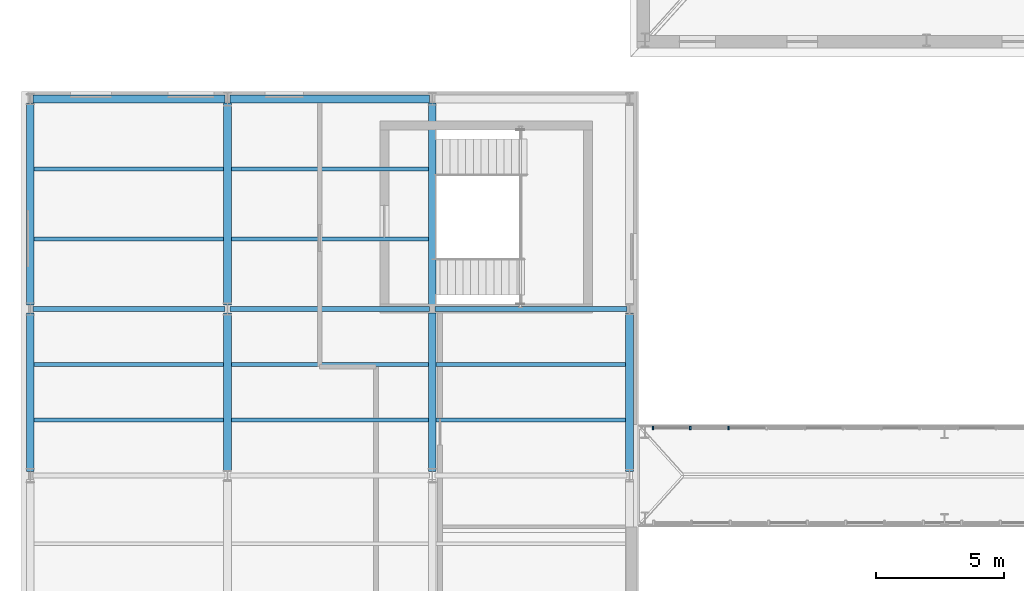
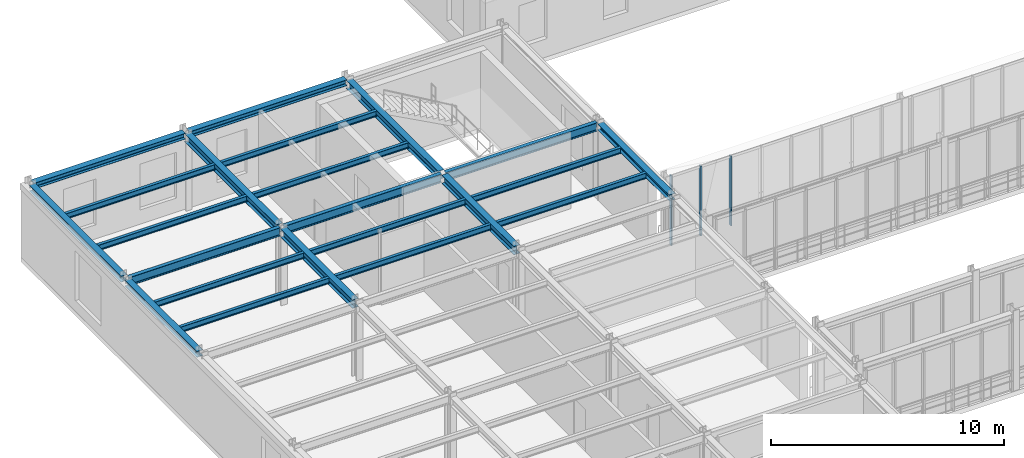
# One storey, part 19 of 57: 22 beams, 3 members, 1 element without a shape of its own.
"""IFC4 building model written with IfcOpenShell, lengths in metres."""

from ifc_helpers import new_model, si_unit, direction, frame, origin, origin_2d, place, context, subcontext, project, spatial, rectangle, i_section, extrude, material, layer, layer_set, material_profile, profile_set, type_object, element, aggregate, save


model = new_model("IFC4")

# Units and contexts
model_context = context("Model", 3, precision=1e-05, world=origin(), true_north=direction((0.0, 1.0)))
body_context = subcontext(model_context, "Body", "Model", "MODEL_VIEW")
ifc_project = project(units=[si_unit("LENGTHUNIT", "METRE"), si_unit("AREAUNIT", "SQUARE_METRE"), si_unit("VOLUMEUNIT", "CUBIC_METRE"), si_unit("PLANEANGLEUNIT", "RADIAN"), si_unit("MASSUNIT", "GRAM", prefix="KILO"), si_unit("THERMODYNAMICTEMPERATUREUNIT", "KELVIN"), si_unit("POWERUNIT", "WATT")], contexts=[model_context])

# Site, building, storey
site_placement = place(None, origin())
site = spatial("IfcSite", under=ifc_project, at=site_placement, CompositionType="ELEMENT")
building_placement = place(site_placement, origin())
building = spatial("IfcBuilding", under=site, at=building_placement, Name="Solvatero Civic Police Headquarters", CompositionType="ELEMENT")
storey_placement = place(building_placement, frame((0.0, 0.0, 9.300048828125)))
storey = spatial("IfcBuildingStorey", under=building, at=storey_placement, Name="L02", CompositionType="ELEMENT", Elevation=9.300048828125)

# Beams
ifc_material_1 = material(Name="Steel S355", Category="steel")
ifc_material_profile_1 = material_profile(ifc_material_1, i_section(OverallWidth=0.300048828125, OverallDepth=0.31005859375, WebThickness=0.009033203125, FlangeThickness=0.015380859375, FilletRadius=0.027099609375, at=origin_2d()), Name="HEA 320")
ifc_profile_set_1 = profile_set([ifc_material_profile_1], Name="Steel S355")
beam_type_1 = type_object("IfcBeamType", Name="BM-ST-HEA320", PredefinedType="SPANDREL", material=ifc_profile_set_1)
beam_1_placement = place(storey_placement, frame((4.89990234375, 83.199951171875, 3.844970703125), z_axis=(1.0, 0.0, 0.0), x_axis=(0.0, 1.0, 0.0)))
element("IfcBeam", 1, at=beam_1_placement, inside=storey, type_object=beam_type_1, Name="Perimeter / radial spandrel beam BM-R2-L02-V6-GX-1-6", PredefinedType="SPANDREL", context=body_context, shape_type="SweptSolid", body=[
    extrude(i_section(OverallWidth=0.300048828125, OverallDepth=0.31005859375, WebThickness=0.009033203125, FlangeThickness=0.015380859375, FilletRadius=0.027099609375, at=origin_2d()), origin(), (0.0, 0.0, 1.0), 7.5),
])
beam_2_placement = place(storey_placement, frame((12.60009765625, 83.199951171875, 3.844970703125), z_axis=(1.0, 0.0, 0.0), x_axis=(0.0, 1.0, 0.0)))
element("IfcBeam", 2, at=beam_2_placement, inside=storey, type_object=beam_type_1, Name="Perimeter / radial spandrel beam BM-R2-L02-V6-GX-2-6", PredefinedType="SPANDREL", context=body_context, shape_type="SweptSolid", body=[
    extrude(i_section(OverallWidth=0.300048828125, OverallDepth=0.31005859375, WebThickness=0.009033203125, FlangeThickness=0.015380859375, FilletRadius=0.027099609375, at=origin_2d()), origin(), (0.0, 0.0, 1.0), 7.7998046875),
])
beam_3_placement = place(storey_placement, frame((4.800048828125, 68.659912109375, 3.844970703125), z_axis=(0.0, 1.0, 0.0), x_axis=(-1.0, 0.0, 0.0)))
element("IfcBeam", 3, at=beam_3_placement, inside=storey, type_object=beam_type_1, Name="Perimeter / radial spandrel beam BM-R2-L02-V6-GY-1-4", PredefinedType="SPANDREL", context=body_context, shape_type="SweptSolid", body=[
    extrude(i_section(OverallWidth=0.300048828125, OverallDepth=0.31005859375, WebThickness=0.009033203125, FlangeThickness=0.015380859375, FilletRadius=0.027099609375, at=origin_2d()), origin(), (0.0, 0.0, 1.0), 6.18017578125),
])
beam_4_placement = place(storey_placement, frame((4.800048828125, 75.159912109375, 3.844970703125), z_axis=(0.0, 1.0, 0.0), x_axis=(-1.0, 0.0, 0.0)))
element("IfcBeam", 4, at=beam_4_placement, inside=storey, type_object=beam_type_1, Name="Perimeter / radial spandrel beam BM-R2-L02-V6-GY-1-5", PredefinedType="SPANDREL", context=body_context, shape_type="SweptSolid", body=[
    extrude(i_section(OverallWidth=0.300048828125, OverallDepth=0.31005859375, WebThickness=0.009033203125, FlangeThickness=0.015380859375, FilletRadius=0.027099609375, at=origin_2d()), origin(), (0.0, 0.0, 1.0), 7.880126953125),
])
beam_5_placement = place(storey_placement, frame((28.199951171875, 68.659912109375, 3.844970703125), z_axis=(0.0, 1.0, 0.0), x_axis=(-1.0, 0.0, 0.0)))
element("IfcBeam", 5, at=beam_5_placement, inside=storey, type_object=beam_type_1, Name="Perimeter / radial spandrel beam BM-R2-L02-V6-GY-4-4", PredefinedType="SPANDREL", context=body_context, shape_type="SweptSolid", body=[
    extrude(i_section(OverallWidth=0.300048828125, OverallDepth=0.31005859375, WebThickness=0.009033203125, FlangeThickness=0.015380859375, FilletRadius=0.027099609375, at=origin_2d()), origin(), (0.0, 0.0, 1.0), 6.18017578125),
])
ifc_material_profile_2 = material_profile(ifc_material_1, i_section(OverallWidth=0.300048828125, OverallDepth=0.43994140625, WebThickness=0.011474609375, FlangeThickness=0.02099609375, FilletRadius=0.027099609375, at=origin_2d()), Name="HEA 450")
ifc_profile_set_2 = profile_set([ifc_material_profile_2], Name="Steel S355")
beam_type_2 = type_object("IfcBeamType", Name="BM-ST-HEA450", PredefinedType="BEAM", material=ifc_profile_set_2)
beam_6_placement = place(storey_placement, frame((12.5, 68.659912109375, 3.780029296875), z_axis=(0.0, 1.0, 0.0), x_axis=(-1.0, 0.0, 0.0)))
element("IfcBeam", 6, at=beam_6_placement, inside=storey, type_object=beam_type_2, Name="Primary girder BM-R2-L02-V6-GY-2-4", PredefinedType="BEAM", context=body_context, shape_type="SweptSolid", body=[
    extrude(i_section(OverallWidth=0.300048828125, OverallDepth=0.43994140625, WebThickness=0.011474609375, FlangeThickness=0.02099609375, FilletRadius=0.027099609375, at=origin_2d()), origin(), (0.0, 0.0, 1.0), 6.18017578125),
])
beam_7_placement = place(storey_placement, frame((12.5, 75.159912109375, 3.780029296875), z_axis=(0.0, 1.0, 0.0), x_axis=(-1.0, 0.0, 0.0)))
element("IfcBeam", 7, at=beam_7_placement, inside=storey, type_object=beam_type_2, Name="Primary girder BM-R2-L02-V6-GY-2-5", PredefinedType="BEAM", context=body_context, shape_type="SweptSolid", body=[
    extrude(i_section(OverallWidth=0.300048828125, OverallDepth=0.43994140625, WebThickness=0.011474609375, FlangeThickness=0.02099609375, FilletRadius=0.027099609375, at=origin_2d()), origin(), (0.0, 0.0, 1.0), 7.880126953125),
])
beam_8_placement = place(storey_placement, frame((20.5, 68.659912109375, 3.780029296875), z_axis=(0.0, 1.0, 0.0), x_axis=(-1.0, 0.0, 0.0)))
element("IfcBeam", 8, at=beam_8_placement, inside=storey, type_object=beam_type_2, Name="Primary girder BM-R2-L02-V6-GY-3-4", PredefinedType="BEAM", context=body_context, shape_type="SweptSolid", body=[
    extrude(i_section(OverallWidth=0.300048828125, OverallDepth=0.43994140625, WebThickness=0.011474609375, FlangeThickness=0.02099609375, FilletRadius=0.027099609375, at=origin_2d()), origin(), (0.0, 0.0, 1.0), 6.18017578125),
])
beam_9_placement = place(storey_placement, frame((20.5, 75.159912109375, 3.780029296875), z_axis=(0.0, 1.0, 0.0), x_axis=(-1.0, 0.0, 0.0)))
element("IfcBeam", 9, at=beam_9_placement, inside=storey, type_object=beam_type_2, Name="Primary girder BM-R2-L02-V6-GY-3-5", PredefinedType="BEAM", context=body_context, shape_type="SweptSolid", body=[
    extrude(i_section(OverallWidth=0.300048828125, OverallDepth=0.43994140625, WebThickness=0.011474609375, FlangeThickness=0.02099609375, FilletRadius=0.027099609375, at=origin_2d()), origin(), (0.0, 0.0, 1.0), 7.880126953125),
])
ifc_material_profile_3 = material_profile(ifc_material_1, i_section(OverallWidth=0.14990234375, OverallDepth=0.300048828125, WebThickness=0.007080078125, FlangeThickness=0.0107421875, FilletRadius=0.014892578125, at=origin_2d()), Name="IPE 300")
ifc_profile_set_3 = profile_set([ifc_material_profile_3], Name="Steel S355")
beam_type_3 = type_object("IfcBeamType", Name="BM-ST-IPE300", PredefinedType="BEAM", material=ifc_profile_set_3)
for number, where, z_axis, x_axis, name in (
    (10, (4.949951171875, 70.666748046875, 3.849853515625), (1.0, 0.0, 0.0), (0.0, 1.0, 0.0), "Composite floor beam BM-R2-L02-V6-SEC-1-4-S1"),
    (11, (4.949951171875, 72.833251953125, 3.849853515625), (1.0, 0.0, 0.0), (0.0, 1.0, 0.0), "Composite floor beam BM-R2-L02-V6-SEC-1-4-S2"),
    (12, (4.949951171875, 77.7333984375, 3.849853515625), (1.0, 0.0, 0.0), (0.0, 1.0, 0.0), "Composite floor beam BM-R2-L02-V6-SEC-1-5-S1"),
    (13, (4.949951171875, 80.466796875, 3.849853515625), (1.0, 0.0, 0.0), (0.0, 1.0, 0.0), "Composite floor beam BM-R2-L02-V6-SEC-1-5-S2"),
):
    element("IfcBeam", number, at=place(storey_placement, frame(where, z_axis=z_axis, x_axis=x_axis)), inside=storey, type_object=beam_type_3, Name=name, PredefinedType="BEAM", context=body_context, shape_type="SweptSolid", body=[
        extrude(i_section(OverallWidth=0.14990234375, OverallDepth=0.300048828125, WebThickness=0.007080078125, FlangeThickness=0.0107421875, FilletRadius=0.014892578125, at=origin_2d()), origin(), (0.0, 0.0, 1.0), 7.400146484375),
    ])
for number, where, z_axis, x_axis, name in (
    (14, (12.64990234375, 70.666748046875, 3.849853515625), (1.0, 0.0, 0.0), (0.0, 1.0, 0.0), "Composite floor beam BM-R2-L02-V6-SEC-2-4-S1"),
    (15, (12.64990234375, 72.833251953125, 3.849853515625), (1.0, 0.0, 0.0), (0.0, 1.0, 0.0), "Composite floor beam BM-R2-L02-V6-SEC-2-4-S2"),
    (16, (12.64990234375, 77.7333984375, 3.849853515625), (1.0, 0.0, 0.0), (0.0, 1.0, 0.0), "Composite floor beam BM-R2-L02-V6-SEC-2-5-S1"),
    (17, (12.64990234375, 80.466796875, 3.849853515625), (1.0, 0.0, 0.0), (0.0, 1.0, 0.0), "Composite floor beam BM-R2-L02-V6-SEC-2-5-S2"),
):
    element("IfcBeam", number, at=place(storey_placement, frame(where, z_axis=z_axis, x_axis=x_axis)), inside=storey, type_object=beam_type_3, Name=name, PredefinedType="BEAM", context=body_context, shape_type="SweptSolid", body=[
        extrude(i_section(OverallWidth=0.14990234375, OverallDepth=0.300048828125, WebThickness=0.007080078125, FlangeThickness=0.0107421875, FilletRadius=0.014892578125, at=origin_2d()), origin(), (0.0, 0.0, 1.0), 7.7001953125),
    ])
for number, where, z_axis, x_axis, name in (
    (18, (20.64990234375, 70.666748046875, 3.849853515625), (1.0, 0.0, 0.0), (0.0, 1.0, 0.0), "Composite floor beam BM-R2-L02-V6-SEC-3-4-S1"),
    (19, (20.64990234375, 72.833251953125, 3.849853515625), (1.0, 0.0, 0.0), (0.0, 1.0, 0.0), "Composite floor beam BM-R2-L02-V6-SEC-3-4-S2"),
):
    element("IfcBeam", number, at=place(storey_placement, frame(where, z_axis=z_axis, x_axis=x_axis)), inside=storey, type_object=beam_type_3, Name=name, PredefinedType="BEAM", context=body_context, shape_type="SweptSolid", body=[
        extrude(i_section(OverallWidth=0.14990234375, OverallDepth=0.300048828125, WebThickness=0.007080078125, FlangeThickness=0.0107421875, FilletRadius=0.014892578125, at=origin_2d()), origin(), (0.0, 0.0, 1.0), 7.400146484375),
    ])
ifc_material_profile_4 = material_profile(ifc_material_1, i_section(OverallWidth=0.18994140625, OverallDepth=0.449951171875, WebThickness=0.009521484375, FlangeThickness=0.0146484375, FilletRadius=0.02099609375, at=origin_2d()), Name="IPE 450")
ifc_profile_set_4 = profile_set([ifc_material_profile_4], Name="Steel S355")
beam_type_4 = type_object("IfcBeamType", Name="BM-ST-IPE450", PredefinedType="BEAM", material=ifc_profile_set_4)
beam_10_placement = place(storey_placement, frame((4.89990234375, 75.0, 3.77490234375), z_axis=(1.0, 0.0, 0.0), x_axis=(0.0, 1.0, 0.0)))
element("IfcBeam", 20, at=beam_10_placement, inside=storey, type_object=beam_type_4, Name="Primary girder BM-R2-L02-V6-GX-1-5", PredefinedType="BEAM", context=body_context, shape_type="SweptSolid", body=[
    extrude(i_section(OverallWidth=0.18994140625, OverallDepth=0.449951171875, WebThickness=0.009521484375, FlangeThickness=0.0146484375, FilletRadius=0.02099609375, at=origin_2d()), origin(), (0.0, 0.0, 1.0), 7.5),
])
beam_11_placement = place(storey_placement, frame((12.60009765625, 75.0, 3.77490234375), z_axis=(1.0, 0.0, 0.0), x_axis=(0.0, 1.0, 0.0)))
element("IfcBeam", 21, at=beam_11_placement, inside=storey, type_object=beam_type_4, Name="Primary girder BM-R2-L02-V6-GX-2-5", PredefinedType="BEAM", context=body_context, shape_type="SweptSolid", body=[
    extrude(i_section(OverallWidth=0.18994140625, OverallDepth=0.449951171875, WebThickness=0.009521484375, FlangeThickness=0.0146484375, FilletRadius=0.02099609375, at=origin_2d()), origin(), (0.0, 0.0, 1.0), 7.7998046875),
])
beam_12_placement = place(storey_placement, frame((20.60009765625, 75.0, 3.77490234375), z_axis=(1.0, 0.0, 0.0), x_axis=(0.0, 1.0, 0.0)))
element("IfcBeam", 22, at=beam_12_placement, inside=storey, type_object=beam_type_4, Name="Primary girder BM-R2-L02-V6-GX-3-5", PredefinedType="BEAM", context=body_context, shape_type="SweptSolid", body=[
    extrude(i_section(OverallWidth=0.18994140625, OverallDepth=0.449951171875, WebThickness=0.009521484375, FlangeThickness=0.0146484375, FilletRadius=0.02099609375, at=origin_2d()), origin(), (0.0, 0.0, 1.0), 7.5),
])

# Curtain wall, members
ifc_material_2 = material(Name="Anodized Bronze Aluminium", Category="aluminium")
ifc_layer = layer(ifc_material_2, 0.179931640625)
ifc_layer_set = layer_set([ifc_layer], Name="Anodized Bronze Aluminium")
curtain_wall_type = type_object("IfcCurtainWallType", Name="CW-SB-GLZ", PredefinedType="USERDEFINED", material=ifc_layer_set)
curtain_wall_placement = place(storey_placement, origin())
curtain_wall = element("IfcCurtainWall", 23, at=curtain_wall_placement, inside=storey, type_object=curtain_wall_type, Name="Curtain Wall CW-R2-L02-SB2-N", ObjectType="UNITISED", PredefinedType="USERDEFINED")
ifc_material_profile_5 = material_profile(ifc_material_2, rectangle(XDim=0.06005859375, YDim=0.139892578125, at=origin_2d()), Name="ALU MULLION 60x140")
ifc_profile_set_5 = profile_set([ifc_material_profile_5], Name="Anodized Bronze Aluminium")
member_type = type_object("IfcMemberType", Name="CWM-160x65", PredefinedType="MULLION", material=ifc_profile_set_5)
member_1_placement = place(storey_placement, frame((29.118896484375, 70.35009765625, 0.0), z_axis=(0.0, 0.0, 1.0), x_axis=(1.0, 0.0, 0.0)))
member_1 = element("IfcMember", 24, at=member_1_placement, type_object=member_type, Name="CW-R2-L02-SB2-N Mullion 1", PredefinedType="MULLION", context=body_context, shape_type="SweptSolid", body=[
    extrude(rectangle(XDim=0.06005859375, YDim=0.139892578125, at=origin_2d()), origin(), (0.0, 0.0, 1.0), 3.64990234375),
])
member_2_placement = place(storey_placement, frame((30.572265625, 70.35009765625, 0.0), z_axis=(0.0, 0.0, 1.0), x_axis=(1.0, 0.0, 0.0)))
member_2 = element("IfcMember", 25, at=member_2_placement, type_object=member_type, Name="CW-R2-L02-SB2-N Mullion 2", PredefinedType="MULLION", context=body_context, shape_type="SweptSolid", body=[
    extrude(rectangle(XDim=0.06005859375, YDim=0.139892578125, at=origin_2d()), origin(), (0.0, 0.0, 1.0), 3.64990234375),
])
member_3_placement = place(storey_placement, frame((32.065673828125, 70.35009765625, 0.0), z_axis=(0.0, 0.0, 1.0), x_axis=(1.0, 0.0, 0.0)))
member_3 = element("IfcMember", 26, at=member_3_placement, type_object=member_type, Name="CW-R2-L02-SB2-N Mullion 3", PredefinedType="MULLION", context=body_context, shape_type="SweptSolid", body=[
    extrude(rectangle(XDim=0.06005859375, YDim=0.139892578125, at=origin_2d()), origin(), (0.0, 0.0, 1.0), 3.64990234375),
])
aggregate(curtain_wall, [member_1, member_2, member_3])

save(model, "model.ifc")
